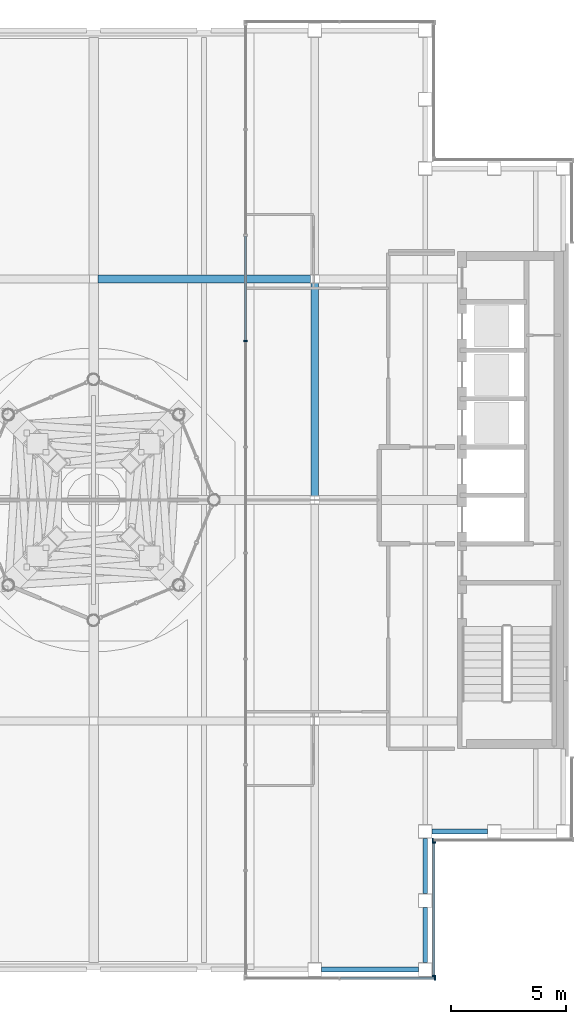
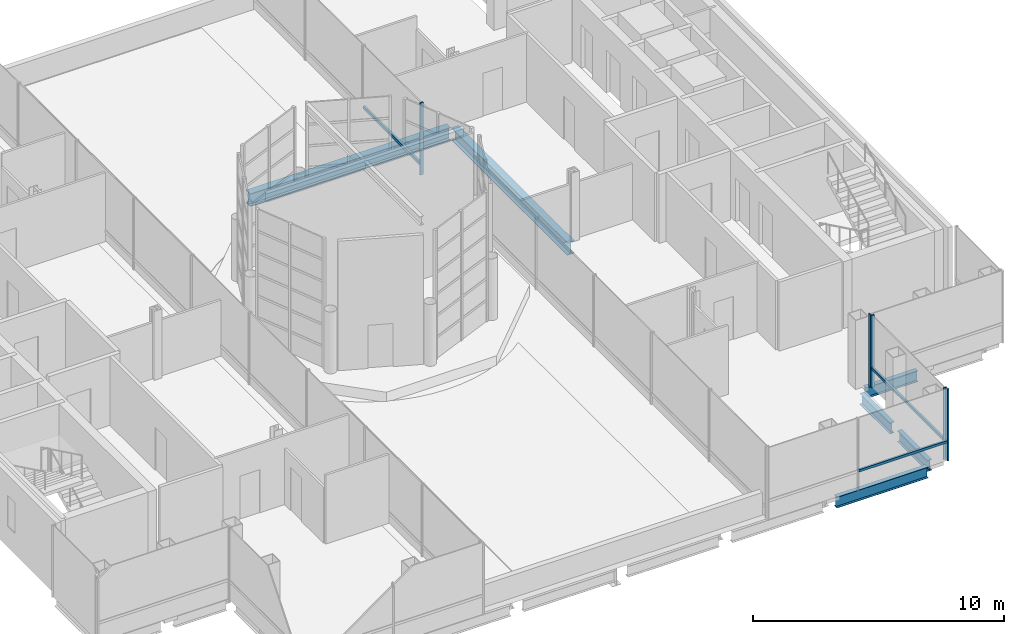
# One storey, part 18 of 32: 8 members, 6 beams, 4 elements without a shape of their own.
"""IFC4 building model written with IfcOpenShell, lengths in metres."""

from ifc_helpers import new_model, si_unit, direction, frame, origin, origin_2d, place, context, subcontext, project, spatial, rectangle, i_section, extrude, material, material_profile, profile_set, type_object, element, aggregate, save


model = new_model("IFC4")

# Units and contexts
model_context = context("Model", 3, precision=1e-05, world=origin(), true_north=direction((0.0, 1.0)))
body_context = subcontext(model_context, "Body", "Model", "MODEL_VIEW")
ifc_project = project(units=[si_unit("LENGTHUNIT", "METRE"), si_unit("AREAUNIT", "SQUARE_METRE"), si_unit("VOLUMEUNIT", "CUBIC_METRE"), si_unit("PLANEANGLEUNIT", "RADIAN"), si_unit("MASSUNIT", "GRAM", prefix="KILO")], contexts=[model_context])

# Site, building, storey
site_placement = place(None, origin())
site = spatial("IfcSite", under=ifc_project, at=site_placement, CompositionType="ELEMENT")
building_placement = place(site_placement, origin())
building = spatial("IfcBuilding", under=site, at=building_placement, Name="Cobrizo Arcos Hotel Tower", CompositionType="ELEMENT")
storey_placement = place(building_placement, frame((0.0, 0.0, 265.5)))
storey = spatial("IfcBuildingStorey", under=building, at=storey_placement, Name="L70", CompositionType="ELEMENT", Elevation=265.5)

# Curtain wall, member
ifc_material_1 = material(Name="Aluminium 6063-T6 anodised bronze", Category="aluminium")
curtain_wall_type_1 = type_object("IfcCurtainWallType", Name="CW-A guest facade", PredefinedType="NOTDEFINED", material=ifc_material_1)
curtain_wall_1_placement = place(storey_placement, origin())
curtain_wall_1 = element("IfcCurtainWall", 1, at=curtain_wall_1_placement, inside=storey, type_object=curtain_wall_type_1, Name="CW-A L70 S face", PredefinedType="NOTDEFINED")
ifc_material_profile_1 = material_profile(ifc_material_1, rectangle(XDim=0.14990234375, YDim=0.06005859375, at=origin_2d()), Name="CW-A mullion 150x60")
ifc_profile_set_1 = profile_set([ifc_material_profile_1], Name="Aluminium 6063-T6 anodised bronze")
member_type_1 = type_object("IfcMemberType", Name="CW-A mullion 150x60", PredefinedType="MULLION", material=ifc_profile_set_1)
member_1_placement = place(storey_placement, frame((14.820068359375, -20.77490234375, 0.0), z_axis=(0.0, 0.0, 1.0), x_axis=(0.0, -1.0, 0.0)))
member_1 = element("IfcMember", 2, at=member_1_placement, type_object=member_type_1, Name="CW-A mullion 3", PredefinedType="MULLION", context=body_context, shape_type="SweptSolid", body=[
    extrude(rectangle(XDim=0.14990234375, YDim=0.06005859375, at=origin_2d()), origin(), (0.0, 0.0, 1.0), 3.5),
])

# Curtain wall, members
curtain_wall_2_placement = place(storey_placement, origin())
curtain_wall_2 = element("IfcCurtainWall", 3, at=curtain_wall_2_placement, inside=storey, type_object=curtain_wall_type_1, Name="CW-A L70 E face", PredefinedType="NOTDEFINED")
member_2_placement = place(storey_placement, frame((14.77490234375, -20.669921875, 0.0), z_axis=(0.0, 0.0, 1.0), x_axis=(1.0, 0.0, 0.0)))
member_2 = element("IfcMember", 4, at=member_2_placement, type_object=member_type_1, Name="CW-A mullion 1", PredefinedType="MULLION", context=body_context, shape_type="SweptSolid", body=[
    extrude(rectangle(XDim=0.14990234375, YDim=0.06005859375, at=origin_2d()), origin(), (0.0, 0.0, 1.0), 3.5),
])
member_3_placement = place(storey_placement, frame((14.77490234375, -14.8798828125, 0.0), z_axis=(0.0, 0.0, 1.0), x_axis=(1.0, 0.0, 0.0)))
member_3 = element("IfcMember", 5, at=member_3_placement, type_object=member_type_1, Name="CW-A mullion 2", PredefinedType="MULLION", context=body_context, shape_type="SweptSolid", body=[
    extrude(rectangle(XDim=0.14990234375, YDim=0.06005859375, at=origin_2d()), origin(), (0.0, 0.0, 1.0), 3.5),
])

# Curtain wall, member
curtain_wall_3_placement = place(storey_placement, origin())
curtain_wall_3 = element("IfcCurtainWall", 6, at=curtain_wall_3_placement, inside=storey, type_object=curtain_wall_type_1, Name="CW-A L70 S face", PredefinedType="NOTDEFINED")
member_4_placement = place(storey_placement, frame((14.72998046875, -14.77490234375, 0.0), z_axis=(0.0, 0.0, 1.0), x_axis=(0.0, -1.0, 0.0)))
member_4 = element("IfcMember", 7, at=member_4_placement, type_object=member_type_1, Name="CW-A mullion 1", PredefinedType="MULLION", context=body_context, shape_type="SweptSolid", body=[
    extrude(rectangle(XDim=0.14990234375, YDim=0.06005859375, at=origin_2d()), origin(), (0.0, 0.0, 1.0), 3.5),
])
aggregate(curtain_wall_3, [member_4])

# Member
ifc_material_profile_2 = material_profile(ifc_material_1, rectangle(XDim=0.10009765625, YDim=0.1201171875, at=origin_2d()), Name="CW-A transom 120x100")
ifc_profile_set_2 = profile_set([ifc_material_profile_2], Name="Aluminium 6063-T6 anodised bronze")
member_type_2 = type_object("IfcMemberType", Name="CW-A transom 120x100", PredefinedType="USERDEFINED", material=ifc_profile_set_2)
member_5_placement = place(storey_placement, frame((10.717041015625, -20.77490234375, 0.929931640625), z_axis=(1.0, 0.0, 0.0), x_axis=(0.0, 1.0, 0.0)))
member_5 = element("IfcMember", 8, at=member_5_placement, type_object=member_type_2, Name="CW-A transom 2192", ObjectType="TRANSOM", PredefinedType="USERDEFINED", context=body_context, shape_type="SweptSolid", body=[
    extrude(rectangle(XDim=0.10009765625, YDim=0.1201171875, at=origin_2d()), origin(), (0.0, 0.0, 1.0), 4.072998046875),
])

aggregate(curtain_wall_1, [member_1, member_5])

member_6_placement = place(storey_placement, frame((14.77490234375, -20.639892578125, 0.929931640625), z_axis=(0.0, 1.0, 0.0), x_axis=(-1.0, 0.0, 0.0)))
member_6 = element("IfcMember", 9, at=member_6_placement, type_object=member_type_2, Name="CW-A transom 2193", ObjectType="TRANSOM", PredefinedType="USERDEFINED", context=body_context, shape_type="SweptSolid", body=[
    extrude(rectangle(XDim=0.10009765625, YDim=0.1201171875, at=origin_2d()), origin(), (0.0, 0.0, 1.0), 5.72998046875),
])

aggregate(curtain_wall_2, [member_2, member_3, member_6])

# Curtain wall, members
curtain_wall_type_2 = type_object("IfcCurtainWallType", Name="CW-C arch infill and crown glazing", PredefinedType="NOTDEFINED", material=ifc_material_1)
curtain_wall_4_placement = place(storey_placement, origin())
curtain_wall_4 = element("IfcCurtainWall", 10, at=curtain_wall_4_placement, inside=storey, type_object=curtain_wall_type_2, Name="CW-C L70 W face", PredefinedType="NOTDEFINED")
ifc_material_profile_3 = material_profile(ifc_material_1, rectangle(XDim=0.14990234375, YDim=0.070068359375, at=origin_2d()), Name="CW-C mullion 150x70")
ifc_profile_set_3 = profile_set([ifc_material_profile_3], Name="Aluminium 6063-T6 anodised bronze")
member_type_3 = type_object("IfcMemberType", Name="CW-C mullion 150x70", PredefinedType="MULLION", material=ifc_profile_set_3)
member_7_placement = place(storey_placement, frame((6.59912109375, 6.89990234375, 0.0), z_axis=(0.0, 0.0, 1.0), x_axis=(-1.0, 0.0, 0.0)))
member_7 = element("IfcMember", 11, at=member_7_placement, type_object=member_type_3, Name="CW-C mullion 4", PredefinedType="MULLION", context=body_context, shape_type="SweptSolid", body=[
    extrude(rectangle(XDim=0.14990234375, YDim=0.070068359375, at=origin_2d()), origin(), (0.0, 0.0, 1.0), 3.5),
])
ifc_material_profile_4 = material_profile(ifc_material_1, rectangle(XDim=0.10009765625, YDim=0.139892578125, at=origin_2d()), Name="CW-C transom 140x100")
ifc_profile_set_4 = profile_set([ifc_material_profile_4], Name="Aluminium 6063-T6 anodised bronze")
member_type_4 = type_object("IfcMemberType", Name="CW-C transom 140x100", PredefinedType="USERDEFINED", material=ifc_profile_set_4)
member_8_placement = place(storey_placement, frame((6.59912109375, 11.465087890625, 0.5), z_axis=(0.0, -1.0, 0.0), x_axis=(1.0, 0.0, 0.0)))
member_8 = element("IfcMember", 12, at=member_8_placement, type_object=member_type_4, Name="CW-C transom 2184", ObjectType="TRANSOM", PredefinedType="USERDEFINED", context=body_context, shape_type="SweptSolid", body=[
    extrude(rectangle(XDim=0.10009765625, YDim=0.139892578125, at=origin_2d()), origin(), (0.0, 0.0, 1.0), 4.530029296875),
])
aggregate(curtain_wall_4, [member_7, member_8])

# Beams
ifc_material_2 = material(Name="Steel ASTM A992 Grade 50", Category="steel")
ifc_material_profile_5 = material_profile(ifc_material_2, i_section(OverallWidth=0.209228515625, OverallDepth=0.533447265625, WebThickness=0.01025390625, FlangeThickness=0.015625, at=origin_2d()), Name="W21X62")
ifc_profile_set_5 = profile_set([ifc_material_profile_5], Name="Steel ASTM A992 Grade 50")
beam_type_1 = type_object("IfcBeamType", Name="W21X62 spandrel", PredefinedType="SPANDREL", material=ifc_profile_set_5)
for number, where, z_axis, x_axis, name in (
    (13, (17.10009765625, -14.39990234375, -0.5166015625), (-1.0, 0.0, 0.0), (0.0, -1.0, 0.0), "Spandrel beam W21X62, L70, no. 022"),
    (14, (14.39990234375, -14.699951171875, -0.5166015625), (0.0, -1.0, 0.0), (1.0, 0.0, 0.0), "Spandrel beam W21X62, L70, no. 023"),
    (15, (14.39990234375, -17.699951171875, -0.5166015625), (0.0, -1.0, 0.0), (1.0, 0.0, 0.0), "Spandrel beam W21X62, L70, no. 024"),
):
    element("IfcBeam", number, at=place(storey_placement, frame(where, z_axis=z_axis, x_axis=x_axis)), inside=storey, type_object=beam_type_1, Name=name, PredefinedType="SPANDREL", context=body_context, shape_type="SweptSolid", body=[
        extrude(i_section(OverallWidth=0.209228515625, OverallDepth=0.533447265625, WebThickness=0.01025390625, FlangeThickness=0.015625, at=origin_2d()), origin(), (0.0, 0.0, 1.0), 2.400146484375),
    ])
beam_placement = place(storey_placement, frame((14.10009765625, -20.39990234375, -0.5166015625), z_axis=(-1.0, 0.0, 0.0), x_axis=(0.0, -1.0, 0.0)))
element("IfcBeam", 16, at=beam_placement, inside=storey, type_object=beam_type_1, Name="Spandrel beam W21X62, L70, no. 025", PredefinedType="SPANDREL", context=body_context, shape_type="SweptSolid", body=[
    extrude(i_section(OverallWidth=0.209228515625, OverallDepth=0.533447265625, WebThickness=0.01025390625, FlangeThickness=0.015625, at=origin_2d()), origin(), (0.0, 0.0, 1.0), 4.2001953125),
])
ifc_material_profile_6 = material_profile(ifc_material_2, i_section(OverallWidth=0.32763671875, OverallDepth=0.622314453125, WebThickness=0.015380859375, FlangeThickness=0.0244140625, at=origin_2d()), Name="W24X131")
ifc_profile_set_6 = profile_set([ifc_material_profile_6], Name="Steel ASTM A992 Grade 50")
beam_type_2 = type_object("IfcBeamType", Name="W24X131 girder", PredefinedType="BEAM", material=ifc_profile_set_6)
for number, where, z_axis, x_axis, name in (
    (17, (0.18408203125, 9.60009765625, -0.56103515625), (1.0, 0.0, 0.0), (0.0, 1.0, 0.0), "Floor girder G1, L70, no. 007"),
    (18, (9.60009765625, 0.18408203125, -0.56103515625), (0.0, 1.0, 0.0), (-1.0, 0.0, 0.0), "Floor girder G1, L70, no. 015"),
):
    element("IfcBeam", number, at=place(storey_placement, frame(where, z_axis=z_axis, x_axis=x_axis)), inside=storey, type_object=beam_type_2, Name=name, PredefinedType="BEAM", context=body_context, shape_type="SweptSolid", body=[
        extrude(i_section(OverallWidth=0.32763671875, OverallDepth=0.622314453125, WebThickness=0.015380859375, FlangeThickness=0.0244140625, at=origin_2d()), origin(), (0.0, 0.0, 1.0), 9.231689453125),
    ])

save(model, "model.ifc")
